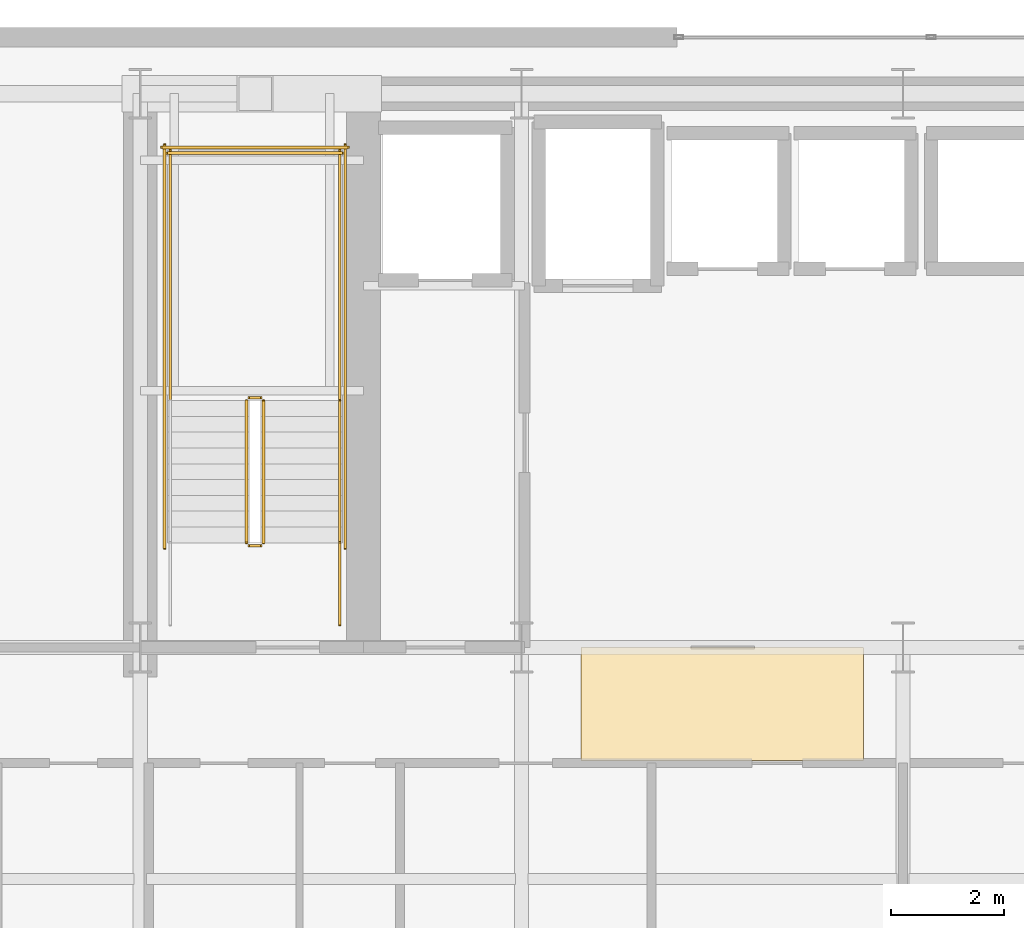
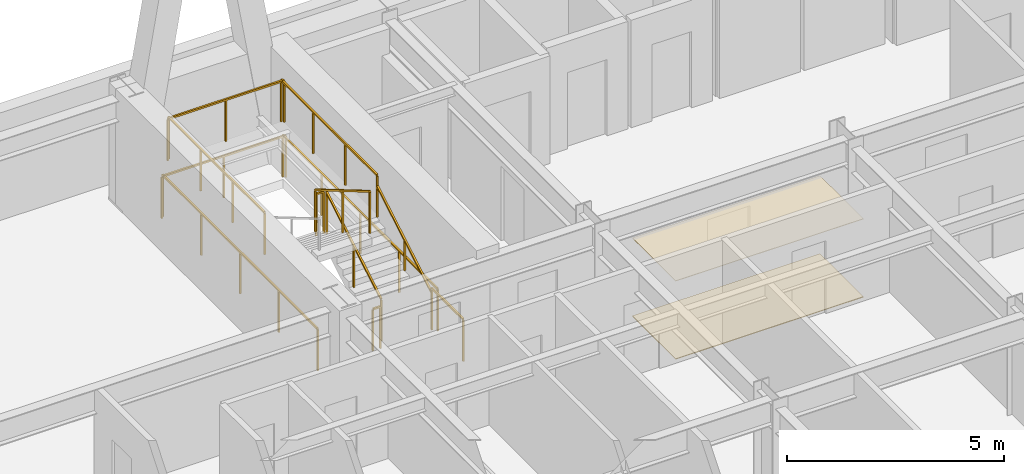
# One storey, part 17 of 22: 12 railings, 2 coverings.
"""IFC4 building model written with IfcOpenShell, lengths in metres."""

from ifc_helpers import new_model, si_unit, direction, frame, origin, origin_2d, place, context, subcontext, project, spatial, polyline, rectangle, outline, extrude, material, layer, layer_set, type_object, element, save


model = new_model("IFC4")

# Units and contexts
model_context = context("Model", 3, precision=1e-05, world=origin(), true_north=direction((0.0, 1.0)))
body_context = subcontext(model_context, "Body", "Model", "MODEL_VIEW")
ifc_project = project(units=[si_unit("LENGTHUNIT", "METRE"), si_unit("AREAUNIT", "SQUARE_METRE"), si_unit("VOLUMEUNIT", "CUBIC_METRE"), si_unit("PLANEANGLEUNIT", "RADIAN"), si_unit("MASSUNIT", "GRAM", prefix="KILO")], contexts=[model_context])

# Site, building, storey
site_placement = place(None, origin())
site = spatial("IfcSite", under=ifc_project, at=site_placement, CompositionType="ELEMENT")
building_placement = place(site_placement, origin())
building = spatial("IfcBuilding", under=site, at=building_placement, Name="Haevon Station Towers", CompositionType="ELEMENT")
storey_placement = place(building_placement, frame((0.0, 0.0, 70.199951171875)))
storey = spatial("IfcBuildingStorey", under=building, at=storey_placement, Name="L18", CompositionType="ELEMENT", Elevation=70.199951171875)

# Coverings
ifc_material_1 = material(Name="Gypsum acoustic ceiling tile", Category="concrete")
ifc_layer_1 = layer(ifc_material_1, 0.014892578125)
ifc_layer_set_1 = layer_set([ifc_layer_1], Name="Gypsum acoustic ceiling tile")
covering_type_1 = type_object("IfcCoveringType", Name="COV-CEIL15", PredefinedType="CEILING", material=ifc_layer_set_1)
covering_1_placement = place(storey_placement, frame((0.0, 0.0, 2.199951171875)))
element("IfcCovering", 1, at=covering_1_placement, inside=storey, type_object=covering_type_1, Name="L18 Acoustic Corridor Ceiling", PredefinedType="CEILING", context=body_context, shape_type="SweptSolid", body=[
    extrude(outline(polyline([(31.800048828125, 36.199951171875), (36.800048828125, 36.199951171875), (36.800048828125, 38.199951171875), (31.800048828125, 38.199951171875), (31.800048828125, 36.199951171875)])), origin(), (0.0, 0.0, 1.0), 0.01513671875),
])
ifc_material_2 = material(Name="Granite stone paving", Category="masonry")
ifc_layer_2 = layer(ifc_material_2, 0.02001953125)
ifc_layer_set_2 = layer_set([ifc_layer_2], Name="Granite stone paving")
covering_type_2 = type_object("IfcCoveringType", Name="COV-FLR20", PredefinedType="FLOORING", material=ifc_layer_set_2)
covering_2_placement = place(storey_placement, origin())
element("IfcCovering", 2, at=covering_2_placement, inside=storey, type_object=covering_type_2, Name="L18 Corridor Stone Flooring", PredefinedType="FLOORING", context=body_context, shape_type="SweptSolid", body=[
    extrude(outline(polyline([(31.800048828125, 36.199951171875), (36.800048828125, 36.199951171875), (36.800048828125, 38.199951171875), (31.800048828125, 38.199951171875), (31.800048828125, 36.199951171875)])), origin(), (0.0, 0.0, 1.0), 0.02001953125),
])

# Railings
ifc_material_3 = material(Name="Steel S355", Category="steel")
railing_type_1 = type_object("IfcRailingType", Name="GRD-STR1200", PredefinedType="GUARDRAIL", material=ifc_material_3)
railing_1_placement = place(storey_placement, frame((26.179931640625, 40.050048828125, 0.1650390625)))
element("IfcRailing", 3, at=railing_1_placement, inside=storey, type_object=railing_type_1, Name="L18 ST1 Stair Guard 1", PredefinedType="GUARDRAIL", context=body_context, shape_type="SweptSolid", body=[
    extrude(rectangle(XDim=0.048095703125, YDim=0.048095703125, at=origin_2d()), frame((0.0, 0.0, 1.17578125), z_axis=(0.0, 0.86152411907, 0.507716645641), x_axis=(-1.0, 0.0, 0.0)), (0.0, 0.0, 1.0), 2.925048828125),
    extrude(rectangle(XDim=0.0419921875, YDim=0.0419921875, at=origin_2d()), origin(), (0.0, 0.0, 1.0), 1.15185546875),
    extrude(rectangle(XDim=0.0419921875, YDim=0.0419921875, at=origin_2d()), frame((0.0, 1.260009765625, 0.74267578125)), (0.0, 0.0, 1.0), 1.15185546875),
    extrude(rectangle(XDim=0.0419921875, YDim=0.0419921875, at=origin_2d()), frame((0.0, 2.52001953125, 1.485107421875)), (0.0, 0.0, 1.0), 1.15185546875),
])
railing_2_placement = place(storey_placement, frame((26.1298828125, 42.6201171875, 1.650146484375)))
element("IfcRailing", 4, at=railing_2_placement, inside=storey, type_object=railing_type_1, Name="L18 ST1 Stair Guard 2", PredefinedType="GUARDRAIL", context=body_context, shape_type="SweptSolid", body=[
    extrude(rectangle(XDim=0.048095703125, YDim=0.048095703125, at=origin_2d()), frame((0.0, 0.0, 1.17578125), z_axis=(-1.0, 0.0, 0.0), x_axis=(0.0, -1.0, 0.0)), (0.0, 0.0, 1.0), 0.199951171875),
    extrude(rectangle(XDim=0.0419921875, YDim=0.0419921875, at=origin_2d()), origin(), (0.0, 0.0, 1.0), 1.15185546875),
    extrude(rectangle(XDim=0.0419921875, YDim=0.0419921875, at=origin_2d()), frame((-0.199951171875, 0.0, 0.0)), (0.0, 0.0, 1.0), 1.15185546875),
])
for number, where, name in (
    (5, (27.530029296875, 42.570068359375, 1.650146484375), "L18 ST1 Stair Guard 3"),
    (6, (24.530029296875, 42.570068359375, 1.650146484375), "L18 ST1 Stair Guard 4"),
):
    element("IfcRailing", number, at=place(storey_placement, frame(where)), inside=storey, type_object=railing_type_1, Name=name, PredefinedType="GUARDRAIL", context=body_context, shape_type="SweptSolid", body=[
        extrude(rectangle(XDim=0.048095703125, YDim=0.048095703125, at=origin_2d()), frame((0.0, 0.0, 1.17578125), z_axis=(0.0, 1.0, 0.0), x_axis=(-1.0, 0.0, 0.0)), (0.0, 0.0, 1.0), 4.429931640625),
        extrude(rectangle(XDim=0.0419921875, YDim=0.0419921875, at=origin_2d()), origin(), (0.0, 0.0, 1.0), 1.15185546875),
        extrude(rectangle(XDim=0.0419921875, YDim=0.0419921875, at=origin_2d()), frame((0.0, 1.4765625, 0.0)), (0.0, 0.0, 1.0), 1.15185546875),
        extrude(rectangle(XDim=0.0419921875, YDim=0.0419921875, at=origin_2d()), frame((0.0, 2.953369140625, 0.0)), (0.0, 0.0, 1.0), 1.15185546875),
        extrude(rectangle(XDim=0.0419921875, YDim=0.0419921875, at=origin_2d()), frame((0.0, 4.429931640625, 0.0)), (0.0, 0.0, 1.0), 1.15185546875),
    ])
railing_3_placement = place(storey_placement, frame((27.580078125, 46.949951171875, 1.650146484375)))
element("IfcRailing", 7, at=railing_3_placement, inside=storey, type_object=railing_type_1, Name="L18 ST1 Stair Guard 5", PredefinedType="GUARDRAIL", context=body_context, shape_type="SweptSolid", body=[
    extrude(rectangle(XDim=0.048095703125, YDim=0.048095703125, at=origin_2d()), frame((0.0, 0.0, 1.17578125), z_axis=(-1.0, 0.0, 0.0), x_axis=(0.0, -1.0, 0.0)), (0.0, 0.0, 1.0), 3.10009765625),
    extrude(rectangle(XDim=0.0419921875, YDim=0.0419921875, at=origin_2d()), origin(), (0.0, 0.0, 1.0), 1.15185546875),
    extrude(rectangle(XDim=0.0419921875, YDim=0.0419921875, at=origin_2d()), frame((-1.550048828125, 0.0, 0.0)), (0.0, 0.0, 1.0), 1.15185546875),
    extrude(rectangle(XDim=0.0419921875, YDim=0.0419921875, at=origin_2d()), frame((-3.10009765625, 0.0, 0.0)), (0.0, 0.0, 1.0), 1.15185546875),
])
railing_4_placement = place(storey_placement, frame((25.8798828125, 42.570068359375, 1.81494140625)))
element("IfcRailing", 8, at=railing_4_placement, inside=storey, type_object=railing_type_1, Name="L18 ST1 Stair Guard 6", PredefinedType="GUARDRAIL", context=body_context, shape_type="SweptSolid", body=[
    extrude(rectangle(XDim=0.048095703125, YDim=0.048095703125, at=origin_2d()), frame((0.0, 0.0, 1.17578125), z_axis=(0.0, -0.86152411907, 0.507716645641), x_axis=(1.0, 0.0, 0.0)), (0.0, 0.0, 1.0), 2.925048828125),
    extrude(rectangle(XDim=0.0419921875, YDim=0.0419921875, at=origin_2d()), origin(), (0.0, 0.0, 1.0), 1.15185546875),
    extrude(rectangle(XDim=0.0419921875, YDim=0.0419921875, at=origin_2d()), frame((0.0, -1.260009765625, 0.74267578125)), (0.0, 0.0, 1.0), 1.15185546875),
    extrude(rectangle(XDim=0.0419921875, YDim=0.0419921875, at=origin_2d()), frame((0.0, -2.52001953125, 1.485107421875)), (0.0, 0.0, 1.0), 1.15185546875),
])
railing_5_placement = place(storey_placement, frame((26.1298828125, 40.0, 0.0)))
element("IfcRailing", 9, at=railing_5_placement, inside=storey, type_object=railing_type_1, Name="L18 ST1 Stair Guard 7", PredefinedType="GUARDRAIL", context=body_context, shape_type="SweptSolid", body=[
    extrude(rectangle(XDim=0.048095703125, YDim=0.048095703125, at=origin_2d()), frame((0.0, 0.0, 1.17578125), z_axis=(-1.0, 0.0, 0.0), x_axis=(0.0, -1.0, 0.0)), (0.0, 0.0, 1.0), 0.199951171875),
    extrude(rectangle(XDim=0.0419921875, YDim=0.0419921875, at=origin_2d()), origin(), (0.0, 0.0, 1.0), 1.15185546875),
    extrude(rectangle(XDim=0.0419921875, YDim=0.0419921875, at=origin_2d()), frame((-0.199951171875, 0.0, 0.0)), (0.0, 0.0, 1.0), 1.15185546875),
])
railing_6_placement = place(storey_placement, frame((27.530029296875, 38.60009765625, 0.0)))
element("IfcRailing", 10, at=railing_6_placement, inside=storey, type_object=railing_type_1, Name="L18 ST1 Stair Guard 8", PredefinedType="GUARDRAIL", context=body_context, shape_type="SweptSolid", body=[
    extrude(rectangle(XDim=0.048095703125, YDim=0.048095703125, at=origin_2d()), frame((0.0, 0.0, 1.17578125), z_axis=(0.0, 1.0, 0.0), x_axis=(-1.0, 0.0, 0.0)), (0.0, 0.0, 1.0), 1.449951171875),
    extrude(rectangle(XDim=0.0419921875, YDim=0.0419921875, at=origin_2d()), origin(), (0.0, 0.0, 1.0), 1.15185546875),
    extrude(rectangle(XDim=0.0419921875, YDim=0.0419921875, at=origin_2d()), frame((0.0, 1.449951171875, 0.0)), (0.0, 0.0, 1.0), 1.15185546875),
])
for number, where, name in (
    (11, (27.6298828125, 39.949951171875, 0.0), "L18 ST1 Stair Guard 10"),
    (12, (24.429931640625, 39.949951171875, 0.0), "L18 ST1 Stair Guard 11"),
):
    element("IfcRailing", number, at=place(storey_placement, frame(where)), inside=storey, type_object=railing_type_1, Name=name, PredefinedType="GUARDRAIL", context=body_context, shape_type="SweptSolid", body=[
        extrude(rectangle(XDim=0.048095703125, YDim=0.048095703125, at=origin_2d()), frame((0.0, 0.0, 1.17578125), z_axis=(0.0, 1.0, 0.0), x_axis=(-1.0, 0.0, 0.0)), (0.0, 0.0, 1.0), 7.150146484375),
        extrude(rectangle(XDim=0.0419921875, YDim=0.0419921875, at=origin_2d()), origin(), (0.0, 0.0, 1.0), 1.15185546875),
        extrude(rectangle(XDim=0.0419921875, YDim=0.0419921875, at=origin_2d()), frame((0.0, 1.78759765625, 0.0)), (0.0, 0.0, 1.0), 1.15185546875),
        extrude(rectangle(XDim=0.0419921875, YDim=0.0419921875, at=origin_2d()), frame((0.0, 3.5751953125, 0.0)), (0.0, 0.0, 1.0), 1.15185546875),
        extrude(rectangle(XDim=0.0419921875, YDim=0.0419921875, at=origin_2d()), frame((0.0, 5.362548828125, 0.0)), (0.0, 0.0, 1.0), 1.15185546875),
        extrude(rectangle(XDim=0.0419921875, YDim=0.0419921875, at=origin_2d()), frame((0.0, 7.150146484375, 0.0)), (0.0, 0.0, 1.0), 1.15185546875),
    ])
railing_7_placement = place(storey_placement, frame((27.679931640625, 47.050048828125, 0.0)))
element("IfcRailing", 13, at=railing_7_placement, inside=storey, type_object=railing_type_1, Name="L18 ST1 Stair Guard 12", PredefinedType="GUARDRAIL", context=body_context, shape_type="SweptSolid", body=[
    extrude(rectangle(XDim=0.048095703125, YDim=0.048095703125, at=origin_2d()), frame((0.0, 0.0, 1.17578125), z_axis=(-1.0, 0.0, 0.0), x_axis=(0.0, -1.0, 0.0)), (0.0, 0.0, 1.0), 3.300048828125),
    extrude(rectangle(XDim=0.0419921875, YDim=0.0419921875, at=origin_2d()), origin(), (0.0, 0.0, 1.0), 1.15185546875),
    extrude(rectangle(XDim=0.0419921875, YDim=0.0419921875, at=origin_2d()), frame((-1.64990234375, 0.0, 0.0)), (0.0, 0.0, 1.0), 1.15185546875),
    extrude(rectangle(XDim=0.0419921875, YDim=0.0419921875, at=origin_2d()), frame((-3.300048828125, 0.0, 0.0)), (0.0, 0.0, 1.0), 1.15185546875),
])
railing_type_2 = type_object("IfcRailingType", Name="HND-STR900", PredefinedType="HANDRAIL", material=ifc_material_3)
railing_8_placement = place(storey_placement, frame((27.530029296875, 40.050048828125, 0.1650390625)))
element("IfcRailing", 14, at=railing_8_placement, inside=storey, type_object=railing_type_2, Name="L18 ST1 Stair Handrail 1", PredefinedType="HANDRAIL", context=body_context, shape_type="SweptSolid", body=[
    extrude(rectangle(XDim=0.048095703125, YDim=0.048095703125, at=origin_2d()), frame((0.0, 0.0, 0.8759765625), z_axis=(0.0, 0.86152411907, 0.507716645641), x_axis=(-1.0, 0.0, 0.0)), (0.0, 0.0, 1.0), 2.925048828125),
    extrude(rectangle(XDim=0.0419921875, YDim=0.0419921875, at=origin_2d()), origin(), (0.0, 0.0, 1.0), 0.851806640625),
    extrude(rectangle(XDim=0.0419921875, YDim=0.0419921875, at=origin_2d()), frame((0.0, 1.260009765625, 0.74267578125)), (0.0, 0.0, 1.0), 0.851806640625),
    extrude(rectangle(XDim=0.0419921875, YDim=0.0419921875, at=origin_2d()), frame((0.0, 2.52001953125, 1.485107421875)), (0.0, 0.0, 1.0), 0.851806640625),
])

save(model, "model.ifc")
